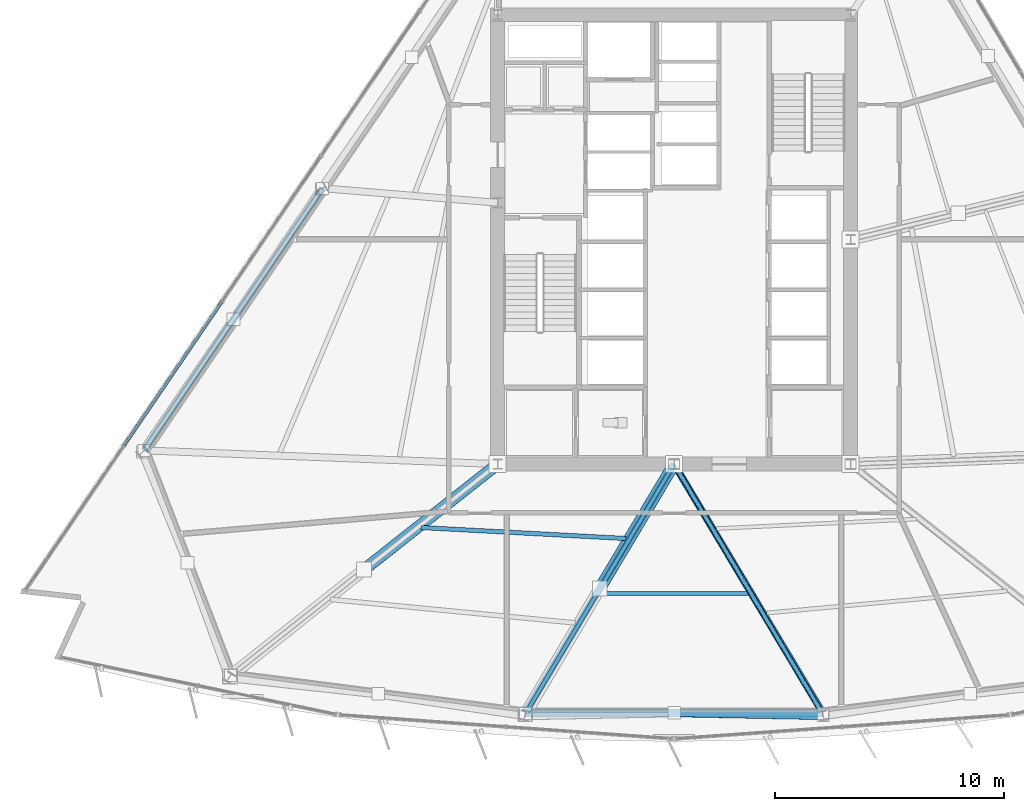
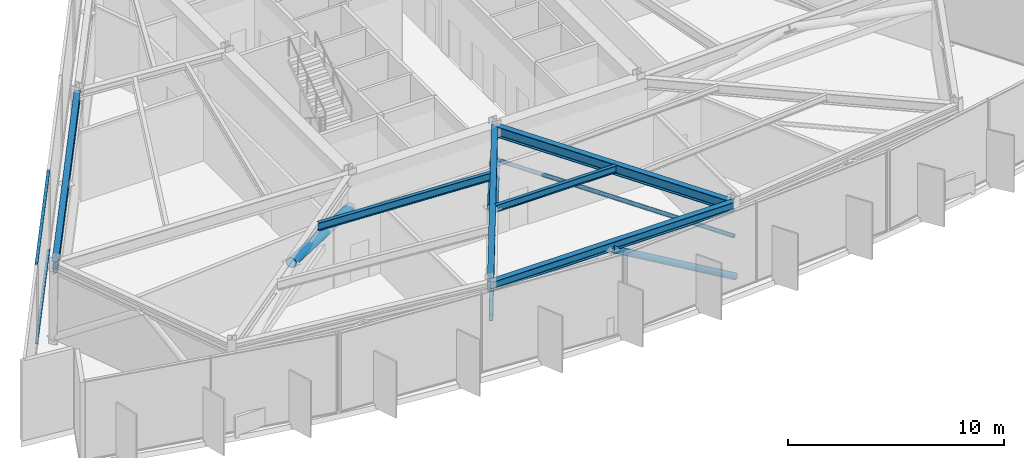
# One storey, part 3 of 16: 8 members, 6 beams, 1 element without a shape of its own.
"""IFC4 building model written with IfcOpenShell, lengths in metres."""

from ifc_helpers import new_model, si_unit, direction, frame, origin, origin_2d, place, context, subcontext, project, spatial, rectangle, hollow_rectangle, hollow_circle, i_section, extrude, material, material_profile, profile_set, type_object, element, aggregate, save


model = new_model("IFC4")

# Units and contexts
model_context = context("Model", 3, precision=1e-05, world=origin(), true_north=direction((0.0, 1.0)))
body_context = subcontext(model_context, "Body", "Model", "MODEL_VIEW")
ifc_project = project(units=[si_unit("LENGTHUNIT", "METRE"), si_unit("AREAUNIT", "SQUARE_METRE"), si_unit("VOLUMEUNIT", "CUBIC_METRE"), si_unit("PLANEANGLEUNIT", "RADIAN"), si_unit("MASSUNIT", "GRAM", prefix="KILO")], contexts=[model_context])

# Site, building, storey
site_placement = place(None, origin())
site = spatial("IfcSite", under=ifc_project, at=site_placement, CompositionType="ELEMENT")
building_placement = place(site_placement, origin())
building = spatial("IfcBuilding", under=site, at=building_placement, Name="Savorim Split Tower", CompositionType="ELEMENT")
storey_placement = place(building_placement, frame((0.0, 0.0, 73.199951171875)))
storey = spatial("IfcBuildingStorey", under=building, at=storey_placement, Name="L19", CompositionType="ELEMENT", Elevation=73.199951171875)

# Beams
ifc_material_1 = material(Name="Steel S355", Category="steel")
ifc_material_profile_1 = material_profile(ifc_material_1, i_section(OverallWidth=0.179931640625, OverallDepth=0.39990234375, WebThickness=0.008544921875, FlangeThickness=0.013427734375, FilletRadius=0.02099609375, at=origin_2d()), Name="IPE 400")
ifc_profile_set_1 = profile_set([ifc_material_profile_1], Name="Steel S355")
beam_type_1 = type_object("IfcBeamType", Name="BM-JST-IPE400", PredefinedType="JOIST", material=ifc_profile_set_1)
beam_1_placement = place(storey_placement, frame((-3.211181640625, -15.04296875, 4.300048828125), z_axis=(1.0, 0.0, 0.0), x_axis=(0.0, 1.0, 0.0)))
element("IfcBeam", 1, at=beam_1_placement, inside=storey, type_object=beam_type_1, Name="L19 Secondary Floor Joist JS-03", PredefinedType="JOIST", context=body_context, shape_type="SweptSolid", body=[
    extrude(i_section(OverallWidth=0.179931640625, OverallDepth=0.39990234375, WebThickness=0.008544921875, FlangeThickness=0.013427734375, FilletRadius=0.02099609375, at=origin_2d()), origin(), (0.0, 0.0, 1.0), 6.42236328125),
])
ifc_material_profile_2 = material_profile(ifc_material_1, i_section(OverallWidth=0.18994140625, OverallDepth=0.449951171875, WebThickness=0.009521484375, FlangeThickness=0.0146484375, FilletRadius=0.02099609375, at=origin_2d()), Name="IPE 450")
ifc_profile_set_2 = profile_set([ifc_material_profile_2], Name="Steel S355")
beam_type_2 = type_object("IfcBeamType", Name="BM-JST-IPE450", PredefinedType="JOIST", material=ifc_profile_set_2)
beam_2_placement = place(storey_placement, frame((-11.033203125, -12.168701171875, 4.275146484375), z_axis=(0.998568366675, -0.053490345638, 0.0), x_axis=(0.053490345638, 0.998568366675, 0.0)))
element("IfcBeam", 2, at=beam_2_placement, inside=storey, type_object=beam_type_2, Name="L19 Secondary Floor Joist JS-02", PredefinedType="JOIST", context=body_context, shape_type="SweptSolid", body=[
    extrude(i_section(OverallWidth=0.18994140625, OverallDepth=0.449951171875, WebThickness=0.009521484375, FlangeThickness=0.0146484375, FilletRadius=0.02099609375, at=origin_2d()), origin(), (0.0, 0.0, 1.0), 8.941162109375),
])
ifc_material_profile_3 = material_profile(ifc_material_1, i_section(OverallWidth=0.300048828125, OverallDepth=0.60009765625, WebThickness=0.015380859375, FlangeThickness=0.030029296875, FilletRadius=0.027099609375, at=origin_2d()), Name="HEB 600")
ifc_profile_set_3 = profile_set([ifc_material_profile_3], Name="Steel S355")
beam_type_3 = type_object("IfcBeamType", Name="BM-PRI-HEB600", PredefinedType="BEAM", material=ifc_profile_set_3)
for number, where, z_axis, x_axis, name in (
    (3, (-6.48291015625, -20.251708984375, 4.199951171875), (0.512855991544, 0.85847465422, 0.0), (-0.85847465422, 0.512855991544, 0.0), "L19 Primary Floor Girder RG-02"),
    (4, (6.48291015625, -20.251708984375, 4.199951171875), (-0.512855991544, 0.85847465422, 0.0), (-0.85847465422, -0.512855991544, 0.0), "L19 Primary Floor Girder RG-03"),
):
    element("IfcBeam", number, at=place(storey_placement, frame(where, z_axis=z_axis, x_axis=x_axis)), inside=storey, type_object=beam_type_3, Name=name, PredefinedType="BEAM", context=body_context, shape_type="SweptSolid", body=[
        extrude(i_section(OverallWidth=0.300048828125, OverallDepth=0.60009765625, WebThickness=0.015380859375, FlangeThickness=0.030029296875, FilletRadius=0.027099609375, at=origin_2d()), origin(), (0.0, 0.0, 1.0), 12.640869140625),
    ])
ifc_material_profile_4 = material_profile(ifc_material_1, i_section(OverallWidth=0.300048828125, OverallDepth=0.489990234375, WebThickness=0.011962890625, FlangeThickness=0.02294921875, FilletRadius=0.027099609375, at=origin_2d()), Name="HEA 500")
ifc_profile_set_4 = profile_set([ifc_material_profile_4], Name="Steel S355")
beam_type_4 = type_object("IfcBeamType", Name="BM-SPN-HEA500", PredefinedType="SPANDREL", material=ifc_profile_set_4)
beam_3_placement = place(storey_placement, frame((-6.48291015625, -20.251708984375, 4.255126953125), z_axis=(1.0, 0.0, 0.0), x_axis=(0.0, 1.0, 0.0)))
element("IfcBeam", 5, at=beam_3_placement, inside=storey, type_object=beam_type_4, Name="L19 Perimeter Spandrel Beam 2", PredefinedType="SPANDREL", context=body_context, shape_type="SweptSolid", body=[
    extrude(i_section(OverallWidth=0.300048828125, OverallDepth=0.489990234375, WebThickness=0.011962890625, FlangeThickness=0.02294921875, FilletRadius=0.027099609375, at=origin_2d()), origin(), (0.0, 0.0, 1.0), 12.9658203125),
])
beam_4_placement = place(storey_placement, frame((-15.32958984375, 2.635009765625, 4.255126953125), z_axis=(-0.562462545324, -0.826822765233, 0.0), x_axis=(0.826822765233, -0.562462545324, 0.0)))
element("IfcBeam", 6, at=beam_4_placement, inside=storey, type_object=beam_type_4, Name="L19 Perimeter Spandrel Beam 9", PredefinedType="SPANDREL", context=body_context, shape_type="SweptSolid", body=[
    extrude(i_section(OverallWidth=0.300048828125, OverallDepth=0.489990234375, WebThickness=0.011962890625, FlangeThickness=0.02294921875, FilletRadius=0.027099609375, at=origin_2d()), origin(), (0.0, 0.0, 1.0), 13.834228515625),
])

# Curtain wall, members
ifc_material_2 = material(Name="Dark Ceramic-Fritted Insulated Glass", Category="glass")
curtain_wall_type = type_object("IfcCurtainWallType", Name="CW-REFUGE-LVR", PredefinedType="NOTDEFINED", material=ifc_material_2)
curtain_wall_placement = place(storey_placement, origin())
curtain_wall = element("IfcCurtainWall", 7, at=curtain_wall_placement, inside=storey, type_object=curtain_wall_type, Name="L19 Curtain Wall CW-L19-WEST", PredefinedType="NOTDEFINED")
ifc_material_3 = material(Name="Charcoal Anodised Aluminium", Category="aluminium")
ifc_material_profile_5 = material_profile(ifc_material_3, rectangle(XDim=0.139892578125, YDim=0.054931640625, at=origin_2d()), Name="ALU-T 140x55")
ifc_profile_set_5 = profile_set([ifc_material_profile_5], Name="Charcoal Anodised Aluminium")
member_type_1 = type_object("IfcMemberType", Name="CWT-140x55", PredefinedType="USERDEFINED", material=ifc_profile_set_5)
member_1_placement = place(storey_placement, frame((-19.729736328125, -2.3173828125, 0.027587890625), z_axis=(-0.562471196559, -0.826816879993, 0.0), x_axis=(0.826816879993, -0.562471196559, 0.0)))
member_1 = element("IfcMember", 8, at=member_1_placement, type_object=member_type_1, Name="CW-06 transom 5.1", ObjectType="TRANSOM", PredefinedType="USERDEFINED", context=body_context, shape_type="SweptSolid", body=[
    extrude(rectangle(XDim=0.139892578125, YDim=0.054931640625, at=origin_2d()), origin(), (0.0, 0.0, 1.0), 7.58154296875),
])
member_2_placement = place(storey_placement, frame((-19.729736328125, -2.3173828125, 4.47265625), z_axis=(-0.562471196559, -0.826816879993, 0.0), x_axis=(0.826816879993, -0.562471196559, 0.0)))
member_2 = element("IfcMember", 9, at=member_2_placement, type_object=member_type_1, Name="CW-06 transom 5.2", ObjectType="TRANSOM", PredefinedType="USERDEFINED", context=body_context, shape_type="SweptSolid", body=[
    extrude(rectangle(XDim=0.139892578125, YDim=0.054931640625, at=origin_2d()), origin(), (0.0, 0.0, 1.0), 7.58154296875),
])
aggregate(curtain_wall, [member_1, member_2])

# Members
ifc_material_profile_6 = material_profile(ifc_material_1, hollow_circle(Radius=0.109619140625, WallThickness=0.012451171875, at=origin_2d()), Name="CHS 219.1x12.5")
ifc_profile_set_6 = profile_set([ifc_material_profile_6], Name="Steel S355")
member_type_2 = type_object("IfcMemberType", Name="MBR-BAY-CHS219", PredefinedType="BRACE", material=ifc_profile_set_6)
member_3_placement = place(storey_placement, frame((0.0, -9.39990234375, 2.52001953125), z_axis=(0.511422349652, -0.859329494592, 0.0), x_axis=(0.859329494592, 0.511422349652, 0.0)))
element("IfcMember", 10, at=member_3_placement, inside=storey, type_object=member_type_2, Name="L19 Secondary Belt Tie Strut 1", PredefinedType="BRACE", context=body_context, shape_type="SweptSolid", body=[
    extrude(hollow_circle(Radius=0.109619140625, WallThickness=0.012451171875, at=origin_2d()), origin(), (0.0, 0.0, 1.0), 12.7001953125),
])
ifc_material_4 = material(Name="Steel S460", Category="steel")
ifc_material_profile_7 = material_profile(ifc_material_4, hollow_circle(Radius=0.177734375, WallThickness=0.02001953125, at=origin_2d()), Name="CHS 355.6x20")
ifc_profile_set_7 = profile_set([ifc_material_profile_7], Name="Steel S460")
member_type_3 = type_object("IfcMemberType", Name="MBR-BLT-CHS355", PredefinedType="BRACE", material=ifc_profile_set_7)
member_4_placement = place(storey_placement, frame((6.507080078125, -20.374267578125, 0.280029296875), z_axis=(-0.86630556591, 0.016316564518, 0.499247870498), x_axis=(-0.018831312907, -0.999822675105, 0.0)))
element("IfcMember", 11, at=member_4_placement, inside=storey, type_object=member_type_3, Name="L19 Perimeter Belt Truss Brace 2B", PredefinedType="BRACE", context=body_context, shape_type="SweptSolid", body=[
    extrude(hollow_circle(Radius=0.177734375, WallThickness=0.02001953125, at=origin_2d()), origin(), (0.0, 0.0, 1.0), 7.51123046875),
])
ifc_material_profile_8 = material_profile(ifc_material_4, hollow_rectangle(XDim=0.199951171875, YDim=0.39990234375, WallThickness=0.01611328125, InnerFilletRadius=0.01611328125, OuterFilletRadius=0.031982421875, at=origin_2d()), Name="RHS 400x200x16")
ifc_profile_set_8 = profile_set([ifc_material_profile_8], Name="Steel S460")
member_type_4 = type_object("IfcMemberType", Name="MBR-CHD-RHS400", PredefinedType="CHORD", material=ifc_profile_set_8)
member_5_placement = place(storey_placement, frame((-15.339599609375, 2.62939453125, 4.030029296875), z_axis=(-0.562465826948, -0.826820532834, 0.0), x_axis=(0.826820532834, -0.562465826948, 0.0)))
element("IfcMember", 12, at=member_5_placement, inside=storey, type_object=member_type_4, Name="L19 Perimeter Belt Truss Chord 9", PredefinedType="CHORD", context=body_context, shape_type="SweptSolid", body=[
    extrude(hollow_rectangle(XDim=0.199951171875, YDim=0.39990234375, WallThickness=0.01611328125, InnerFilletRadius=0.01611328125, OuterFilletRadius=0.031982421875, at=origin_2d()), origin(), (0.0, 0.0, 1.0), 13.8427734375),
])
member_6_placement = place(storey_placement, frame((0.0, -9.39990234375, 2.47998046875), z_axis=(-0.511394305743, -0.859346184057, 0.0), x_axis=(0.859346184057, -0.511394305743, 0.0)))
element("IfcMember", 13, at=member_6_placement, inside=storey, type_object=member_type_4, Name="L19 Outrigger Bottom Chord S2", PredefinedType="CHORD", context=body_context, shape_type="SweptSolid", body=[
    extrude(hollow_rectangle(XDim=0.199951171875, YDim=0.39990234375, WallThickness=0.01611328125, InnerFilletRadius=0.01611328125, OuterFilletRadius=0.031982421875, at=origin_2d()), origin(), (0.0, 0.0, 1.0), 12.701171875),
])
ifc_material_profile_9 = material_profile(ifc_material_4, hollow_circle(Radius=0.25390625, WallThickness=0.02490234375, at=origin_2d()), Name="CHS 508x25")
ifc_profile_set_9 = profile_set([ifc_material_profile_9], Name="Steel S460")
member_type_5 = type_object("IfcMemberType", Name="MBR-OUT-CHS508", PredefinedType="BRACE", material=ifc_profile_set_9)
member_7_placement = place(storey_placement, frame((-7.699951171875, -9.39990234375, 2.47998046875), z_axis=(-0.764341046631, -0.603978794837, 0.225814923824), x_axis=(0.619993078823, -0.784607278969, 0.0)))
element("IfcMember", 14, at=member_7_placement, inside=storey, type_object=member_type_5, Name="L19 Outrigger Truss Diagonal S1-A", PredefinedType="BRACE", context=body_context, shape_type="SweptSolid", body=[
    extrude(hollow_circle(Radius=0.25390625, WallThickness=0.02490234375, at=origin_2d()), origin(), (0.0, 0.0, 1.0), 7.61669921875),
])
member_8_placement = place(storey_placement, frame((0.0, -9.39990234375, 2.47998046875), z_axis=(-0.494867493087, -0.828344894658, 0.262585033426), x_axis=(0.858469574179, -0.512864494977, 0.0)))
element("IfcMember", 15, at=member_8_placement, inside=storey, type_object=member_type_5, Name="L19 Outrigger Truss Diagonal S2-A", PredefinedType="BRACE", context=body_context, shape_type="SweptSolid", body=[
    extrude(hollow_circle(Radius=0.25390625, WallThickness=0.02490234375, at=origin_2d()), origin(), (0.0, 0.0, 1.0), 6.550048828125),
])

save(model, "model.ifc")
